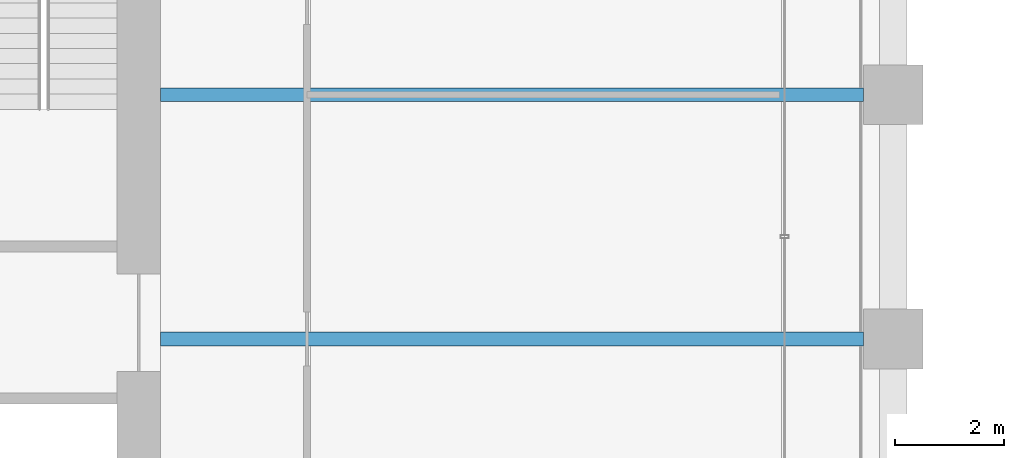
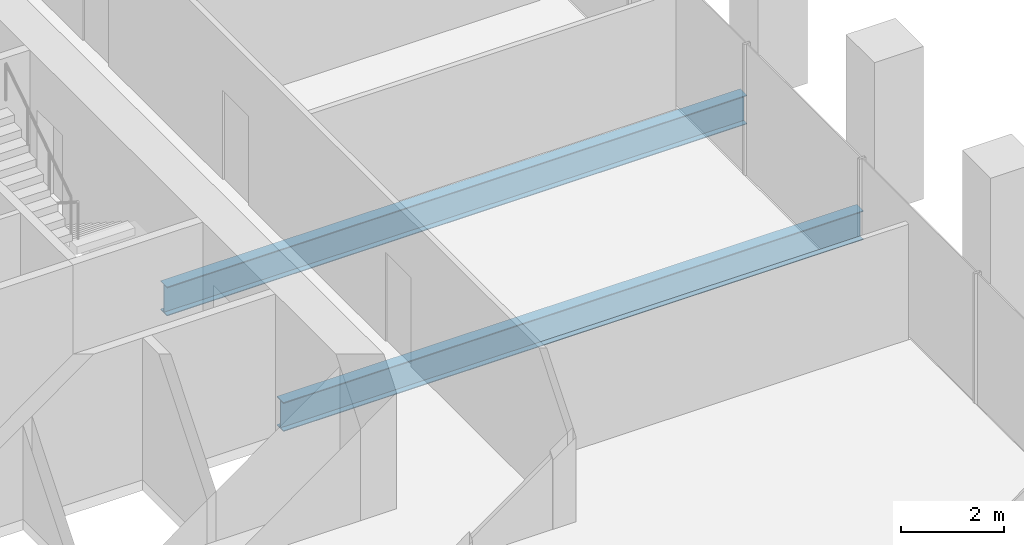
# One storey, part 19 of 56: 2 beams.
"""IFC4 building model written with IfcOpenShell, lengths in metres."""

import ifcopenshell
import ifcopenshell.guid

model = None  # the IFC model being written
_history = None  # IfcOwnerHistory: only IFC2X3 demands one
_inside = {}  # id of a spatial element -> (the spatial element, [elements in it])
_under = {}  # id of a project, library or spatial element -> (it, [spatial elements below it])
_declared = {}  # id of a project -> (the project, [libraries it declares])
_typed = {}  # id of a type object -> (the type object, [elements of that type])
_made_of = {}  # id of a material, layer set ... -> (it, [elements and type objects made of it])


def new_model(schema):
    """Start an empty IFC model of exactly this schema.

    Asked for "IFC4X3", IfcOpenShell would pick the latest addendum, in which some entities
    have other attributes; the version numbers below select the first issue.
    IFC2X3 requires an IfcOwnerHistory on every rooted entity: one is made here for all.
    """
    global model, _history
    if schema == "IFC4X3":
        model = ifcopenshell.file(schema_version=(4, 3, 0, 0))
    else:
        model = ifcopenshell.file(schema=schema)
    _inside.clear()
    _under.clear()
    _declared.clear()
    _typed.clear()
    _made_of.clear()
    _history = None
    if model.schema == "IFC2X3":
        org = make("IfcOrganization", Name="unknown")
        user = make(
            "IfcPersonAndOrganization",
            ThePerson=make("IfcPerson", FamilyName="unknown"),
            TheOrganization=org,
        )
        app = make(
            "IfcApplication",
            ApplicationDeveloper=org,
            Version="unknown",
            ApplicationFullName="unknown",
            ApplicationIdentifier="unknown",
        )
        _history = make(
            "IfcOwnerHistory",
            OwningUser=user,
            OwningApplication=app,
            ChangeAction="ADDED",
            CreationDate=0,
        )
    return model


def make(cls, **values):
    """One entity of the class cls with the attributes given. An attribute that is None is left unset."""
    return model.create_entity(
        cls, **{name: value for name, value in values.items() if value is not None}
    )


def rooted(cls, **values):
    """An entity with a GlobalId (a new one), such as an element, a storey or a relation."""
    return make(cls, GlobalId=ifcopenshell.guid.new(), OwnerHistory=_history, **values)


def si_unit(unit_type, name, prefix=None):
    """IfcSIUnit, for example si_unit("LENGTHUNIT", "METRE", prefix="MILLI")."""
    return make("IfcSIUnit", UnitType=unit_type, Prefix=prefix, Name=name)


def assignment(units):
    """IfcUnitAssignment: the units of a project."""
    return None if units is None else make("IfcUnitAssignment", Units=units)


def point(xyz):
    """IfcCartesianPoint."""
    return None if xyz is None else make("IfcCartesianPoint", Coordinates=xyz)


def direction(xyz):
    """IfcDirection."""
    return None if xyz is None else make("IfcDirection", DirectionRatios=xyz)


def frame(location, z_axis=None, x_axis=None):
    """IfcAxis2Placement3D, a coordinate frame: its origin and axes. An axis left out is left unset."""
    return make(
        "IfcAxis2Placement3D",
        Location=point(location),
        Axis=direction(z_axis),
        RefDirection=direction(x_axis),
    )


def frame_2d(location, x_axis=None):
    """IfcAxis2Placement2D, a coordinate frame in the plane: its origin and x axis."""
    return make(
        "IfcAxis2Placement2D", Location=point(location), RefDirection=direction(x_axis)
    )


def origin():
    """The frame at (0, 0, 0) with its axes left unset."""
    return frame((0.0, 0.0, 0.0))


def origin_2d():
    """The frame at (0, 0) in the plane with its x axis left unset."""
    return frame_2d((0.0, 0.0))


def place(relative_to, where):
    """IfcLocalPlacement: puts the frame where relative to a parent placement (None: the world)."""
    return make(
        "IfcLocalPlacement", PlacementRelTo=relative_to, RelativePlacement=where
    )


def context(
    kind, dimensions, precision=None, world=None, true_north=None, identifier=None
):
    """IfcGeometricRepresentationContext, for example the 3D "Model" context."""
    return make(
        "IfcGeometricRepresentationContext",
        ContextIdentifier=identifier,
        ContextType=kind,
        CoordinateSpaceDimension=dimensions,
        Precision=precision,
        WorldCoordinateSystem=world,
        TrueNorth=true_north,
    )


def subcontext(parent, identifier, kind, view, scale=None):
    """IfcGeometricRepresentationSubContext, for example "Body" below "Model"."""
    return make(
        "IfcGeometricRepresentationSubContext",
        ContextIdentifier=identifier,
        ContextType=kind,
        ParentContext=parent,
        TargetScale=scale,
        TargetView=view,
    )


def project(units=None, contexts=None):
    """IfcProject with its units and contexts."""
    return rooted(
        "IfcProject",
        Name="project",
        RepresentationContexts=contexts,
        UnitsInContext=assignment(units),
    )


def spatial(cls, under=None, at=None, **own):
    """A site, building, storey or space (cls), placed at a placement, below another one or the project."""
    s = rooted(cls, ObjectPlacement=at, **own)
    if under is not None:
        _under.setdefault(under.id(), (under, []))[1].append(s)
    return s


def profile(cls, at=None, kind="AREA", **sizes):
    """A parametric profile (cls). Its sizes go by their IFC names, for example OverallWidth=200.0."""
    return make(cls, ProfileType=kind, Position=at, **sizes)


def i_section(**sizes):
    """IfcIShapeProfileDef."""
    return profile("IfcIShapeProfileDef", **sizes)


def extrude(swept, where, along, depth):
    """IfcExtrudedAreaSolid: the profile swept, set in the frame where, extruded along a direction by depth."""
    return make(
        "IfcExtrudedAreaSolid",
        SweptArea=swept,
        Position=where,
        ExtrudedDirection=direction(along),
        Depth=depth,
    )


def shape(context_of_items, identifier, shape_type, items):
    """IfcShapeRepresentation: the items that make up one representation, for example the "Body"."""
    return make(
        "IfcShapeRepresentation",
        ContextOfItems=context_of_items,
        RepresentationIdentifier=identifier,
        RepresentationType=shape_type,
        Items=items,
    )


def material(Name=None, Category=None):
    """IfcMaterial."""
    return make("IfcMaterial", Name=Name, Category=Category)


def material_profile(
    of_material, cross_section, Name=None, Category=None, Priority=None
):
    """IfcMaterialProfile: a cross section and its material."""
    return make(
        "IfcMaterialProfile",
        Name=Name,
        Material=of_material,
        Profile=cross_section,
        Priority=Priority,
        Category=Category,
    )


def profile_set(profiles, Name=None, composite=None):
    """IfcMaterialProfileSet."""
    return make(
        "IfcMaterialProfileSet",
        Name=Name,
        MaterialProfiles=profiles,
        CompositeProfile=composite,
    )


def made_of(thing, what):
    """Note that an element or type object is made of a material, layer set ...; save() writes the relation."""
    if what is not None:
        _made_of.setdefault(what.id(), (what, []))[1].append(thing)
    return thing


def type_object(cls, material=None, **own):
    """A type object (cls), such as IfcWallType, which elements share."""
    return made_of(rooted(cls, **own), material)


def element(
    cls,
    number,
    at=None,
    inside=None,
    cuts=None,
    type_object=None,
    material=None,
    context=None,
    identifier="Body",
    shape_type=None,
    held_by="IfcProductDefinitionShape",
    body=None,
    shapes=None,
    **own,
):
    """One element of the class cls, such as IfcWall. Its Tag is "e" and its number.

    at: its placement. inside: the storey or other place that contains it. cuts: it is an
    opening in that element (IfcRelVoidsElement). A single representation is given by context,
    identifier, shape_type and body (its items); several are given by shapes. held_by: the class
    of the entity that holds the representations. save() writes the other relations.
    """
    e = rooted(cls, Tag="e%d" % number, ObjectPlacement=at, **own)
    if body is not None:
        shapes = [shape(context, identifier, shape_type, body)]
    if shapes is not None:
        e.Representation = make(held_by, Representations=shapes)
    if inside is not None:
        _inside.setdefault(inside.id(), (inside, []))[1].append(e)
    if cuts is not None:
        rooted(
            "IfcRelVoidsElement", RelatingBuildingElement=cuts, RelatedOpeningElement=e
        )
    if type_object is not None:
        _typed.setdefault(type_object.id(), (type_object, []))[1].append(e)
    return made_of(e, material)


def aggregate(whole, parts):
    """IfcRelAggregates: a whole, such as a stair, and the parts it consists of."""
    return rooted("IfcRelAggregates", RelatingObject=whole, RelatedObjects=parts)


def save(model, path):
    """Write the relations noted so far, then the file.

    IfcRelAggregates (storeys below a building ...), IfcRelContainedInSpatialStructure (elements
    in a storey), IfcRelDefinesByType, IfcRelAssociatesMaterial and IfcRelDeclares: one each for
    every whole, place, type object, material and project.
    """
    for whole, parts in _under.values():
        aggregate(whole, parts)
    for where, things in _inside.values():
        rooted(
            "IfcRelContainedInSpatialStructure",
            RelatedElements=things,
            RelatingStructure=where,
        )
    for kind, things in _typed.values():
        rooted("IfcRelDefinesByType", RelatedObjects=things, RelatingType=kind)
    for what, things in _made_of.values():
        rooted("IfcRelAssociatesMaterial", RelatedObjects=things, RelatingMaterial=what)
    for by, libraries in _declared.values():
        rooted("IfcRelDeclares", RelatingContext=by, RelatedDefinitions=libraries)
    model.write(path)


model = new_model("IFC4")

# Units and contexts
model_context = context("Model", 3, precision=1e-05, world=origin(), true_north=direction((0.0, 1.0)))
body_context = subcontext(model_context, "Body", "Model", "MODEL_VIEW")
ifc_project = project(units=[si_unit("LENGTHUNIT", "METRE"), si_unit("AREAUNIT", "SQUARE_METRE"), si_unit("VOLUMEUNIT", "CUBIC_METRE"), si_unit("PLANEANGLEUNIT", "RADIAN"), si_unit("MASSUNIT", "GRAM", prefix="KILO")], contexts=[model_context])

# Site, building, storey
site_placement = place(None, origin())
site = spatial("IfcSite", under=ifc_project, at=site_placement, CompositionType="ELEMENT")
building_placement = place(site_placement, origin())
building = spatial("IfcBuilding", under=site, at=building_placement, Name="Altepetl Exchange Towers", CompositionType="ELEMENT")
storey_placement = place(building_placement, frame((0.0, 0.0, 54.60009765625)))
storey = spatial("IfcBuildingStorey", under=building, at=storey_placement, Name="L12", CompositionType="ELEMENT", Elevation=54.60009765625)

# Beams
ifc_material = material(Name="Steel S355", Category="steel")
ifc_material_profile = material_profile(ifc_material, i_section(OverallWidth=0.25390625, OverallDepth=0.68408203125, WebThickness=0.012451171875, FlangeThickness=0.018798828125, at=origin_2d()), Name="W27X94")
ifc_profile_set = profile_set([ifc_material_profile], Name="Steel S355")
beam_type = type_object("IfcBeamType", Name="Floor beam W27X94", PredefinedType="BEAM", material=ifc_profile_set)
for number, where, z_axis, x_axis, name in (
    (1, (58.5, 45.0, -0.4921875), (1.0, 0.0, 0.0), (0.0, 1.0, 0.0), "bm:A:L12:009"),
    (2, (58.5, 49.5, -0.4921875), (1.0, 0.0, 0.0), (0.0, 1.0, 0.0), "bm:A:L12:010"),
):
    element("IfcBeam", number, at=place(storey_placement, frame(where, z_axis=z_axis, x_axis=x_axis)), inside=storey, type_object=beam_type, Name=name, PredefinedType="BEAM", context=body_context, shape_type="SweptSolid", body=[
        extrude(i_section(OverallWidth=0.25390625, OverallDepth=0.68408203125, WebThickness=0.012451171875, FlangeThickness=0.018798828125, at=origin_2d()), origin(), (0.0, 0.0, 1.0), 12.949951171875),
    ])

save(model, "model.ifc")
